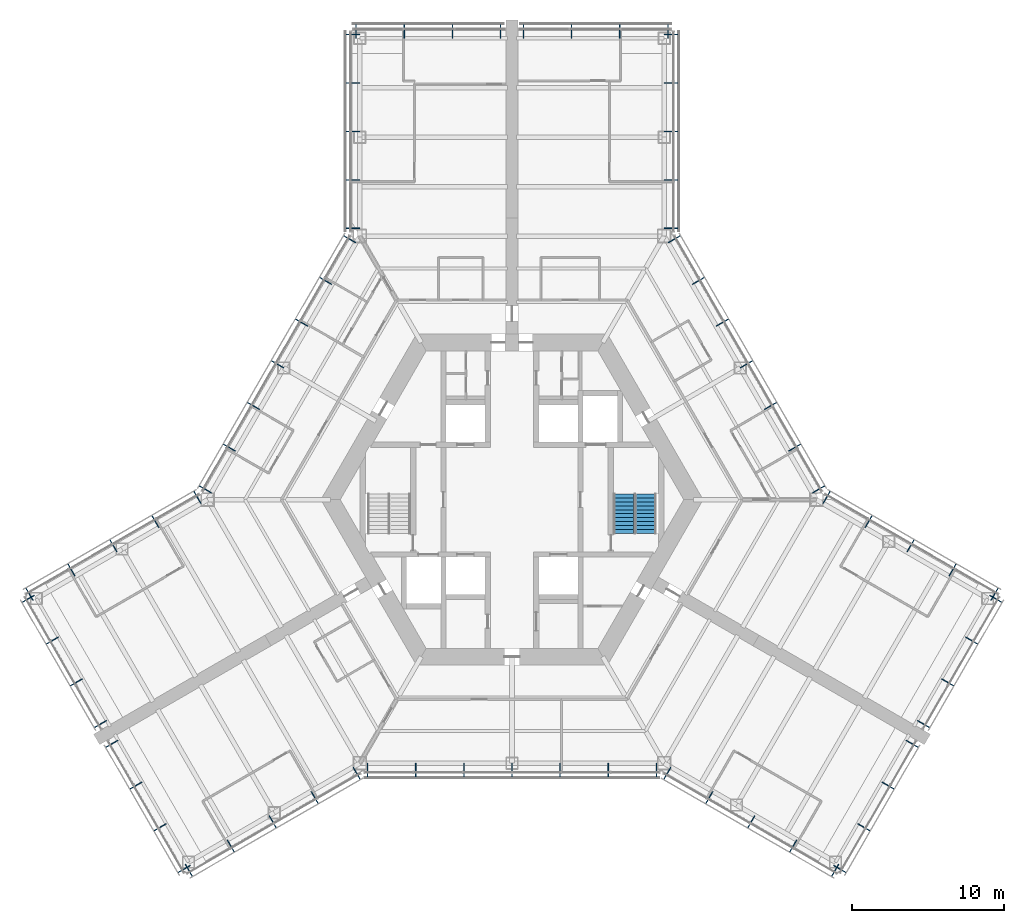
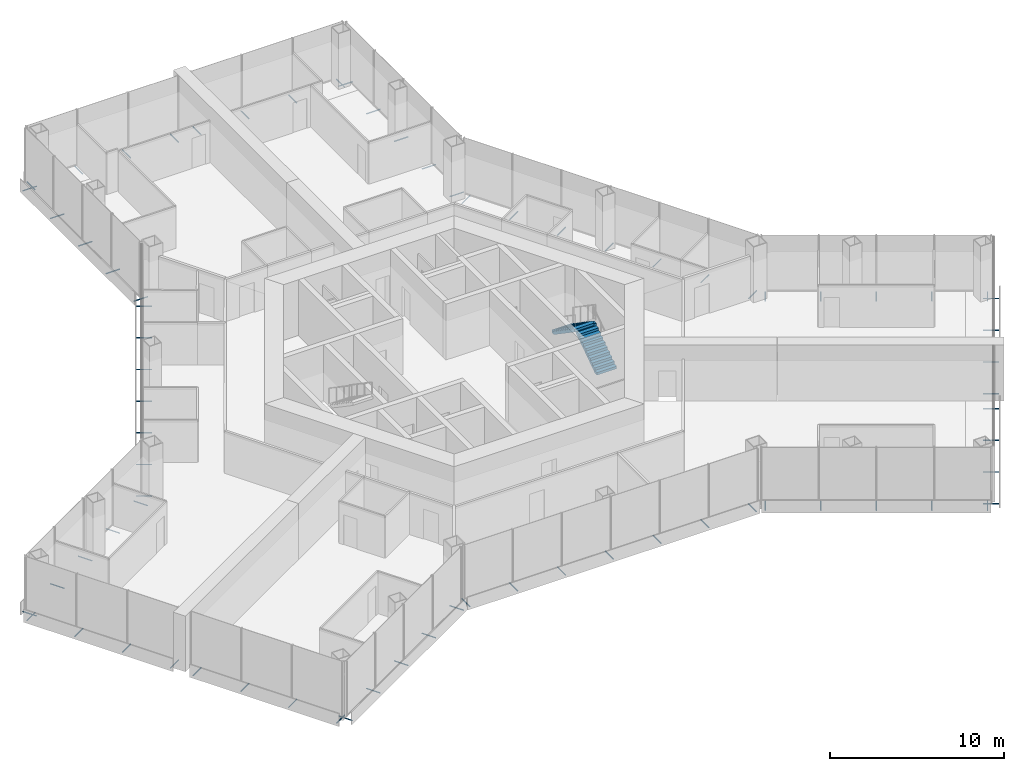
# One storey, part 16 of 18: 75 discrete accessories, 2 stair flights, 1 element without a shape of its own.
"""IFC4 building model written with IfcOpenShell, lengths in metres."""

from ifc_helpers import new_model, si_unit, direction, frame, origin, origin_2d, place, context, subcontext, project, spatial, polyline, hollow_circle, outline, extrude, material, material_profile, profile_set, type_object, element, aggregate, save


model = new_model("IFC4")

# Units and contexts
model_context = context("Model", 3, precision=1e-05, world=origin(), true_north=direction((0.0, 1.0)))
body_context = subcontext(model_context, "Body", "Model", "MODEL_VIEW")
ifc_project = project(units=[si_unit("LENGTHUNIT", "METRE"), si_unit("AREAUNIT", "SQUARE_METRE"), si_unit("VOLUMEUNIT", "CUBIC_METRE"), si_unit("PLANEANGLEUNIT", "RADIAN"), si_unit("MASSUNIT", "GRAM", prefix="KILO")], contexts=[model_context])

# Site, building, storey
site_placement = place(None, origin())
site = spatial("IfcSite", under=ifc_project, at=site_placement, CompositionType="ELEMENT")
building_placement = place(site_placement, origin())
building = spatial("IfcBuilding", under=site, at=building_placement, Name="Kasaneha Research Tower", CompositionType="ELEMENT")
storey_placement = place(building_placement, frame((0.0, 0.0, 61.199951171875)))
storey = spatial("IfcBuildingStorey", under=building, at=storey_placement, Name="L15", CompositionType="ELEMENT", Elevation=61.199951171875)

# Stair, stair flights
ifc_material_1 = material(Name="Concrete Fc24", Category="concrete")
stair_type = type_object("IfcStairType", Name="Half-turn stair 22 risers", PredefinedType="HALF_TURN_STAIR", material=ifc_material_1)
stair_placement = place(storey_placement, origin())
stair = element("IfcStair", 1, at=stair_placement, inside=storey, type_object=stair_type, Name="Stair 1 L15", PredefinedType="HALF_TURN_STAIR")
ifc_material_2 = material(Name="Concrete Fc24", Category="concrete")
stair_flight_type = type_object("IfcStairFlightType", Name="Stair flight 11 risers 177.3", PredefinedType="STRAIGHT", material=ifc_material_2)
stair_flight_1_placement = place(storey_placement, frame((8.824951171875, -2.22509765625, 0.0), z_axis=(0.0, 0.0, 1.0), x_axis=(0.0, 1.0, 0.0)))
stair_flight_1 = element("IfcStairFlight", 2, at=stair_flight_1_placement, type_object=stair_flight_type, Name="ST1-22R flight 1", NumberOfRisers=11, NumberOfTreads=10, PredefinedType="STRAIGHT", RiserHeight=0.177272727, TreadLength=0.26, context=body_context, shape_type="SweptSolid", body=[
    extrude(outline(polyline([(0.0, 0.0), (0.0, 0.17724609375), (0.260009765625, 0.17724609375), (0.260009765625, 0.3544921875), (0.52001953125, 0.3544921875), (0.52001953125, 0.53173828125), (0.780029296875, 0.53173828125), (0.780029296875, 0.708984375), (1.0400390625, 0.708984375), (1.0400390625, 0.886474609375), (1.300048828125, 0.886474609375), (1.300048828125, 1.063720703125), (1.56005859375, 1.063720703125), (1.56005859375, 1.240966796875), (1.820068359375, 1.240966796875), (1.820068359375, 1.418212890625), (2.080078125, 1.418212890625), (2.080078125, 1.595458984375), (2.340087890625, 1.595458984375), (2.340087890625, 1.772705078125), (2.60009765625, 1.772705078125), (2.60009765625, 1.949951171875), (2.60009765625, 1.59130859375), (0.26611328125, 0.0), (0.0, 0.0)])), frame((0.0, 0.64990234375, 0.0), z_axis=(0.0, -1.0, 0.0), x_axis=(1.0, 0.0, 0.0)), (0.0, 0.0, 1.0), 1.300048828125),
])
stair_flight_2_placement = place(storey_placement, frame((7.324951171875, 0.375, 1.949951171875), z_axis=(0.0, 0.0, 1.0), x_axis=(0.0, -1.0, 0.0)))
stair_flight_2 = element("IfcStairFlight", 3, at=stair_flight_2_placement, type_object=stair_flight_type, Name="ST1-22R flight 2", NumberOfRisers=11, NumberOfTreads=10, PredefinedType="STRAIGHT", RiserHeight=0.177272727, TreadLength=0.26, context=body_context, shape_type="SweptSolid", body=[
    extrude(outline(polyline([(0.0, 0.0), (0.0, 0.17724609375), (0.260009765625, 0.17724609375), (0.260009765625, 0.3544921875), (0.52001953125, 0.3544921875), (0.52001953125, 0.53173828125), (0.780029296875, 0.53173828125), (0.780029296875, 0.708984375), (1.0400390625, 0.708984375), (1.0400390625, 0.886474609375), (1.300048828125, 0.886474609375), (1.300048828125, 1.063720703125), (1.56005859375, 1.063720703125), (1.56005859375, 1.240966796875), (1.820068359375, 1.240966796875), (1.820068359375, 1.418212890625), (2.080078125, 1.418212890625), (2.080078125, 1.595458984375), (2.340087890625, 1.595458984375), (2.340087890625, 1.772705078125), (2.60009765625, 1.772705078125), (2.60009765625, 1.949951171875), (2.60009765625, 1.59130859375), (0.26611328125, 0.0), (0.0, 0.0)])), frame((0.0, 0.64990234375, 0.0), z_axis=(0.0, -1.0, 0.0), x_axis=(1.0, 0.0, 0.0)), (0.0, 0.0, 1.0), 1.300048828125),
])
aggregate(stair, [stair_flight_1, stair_flight_2])

# Discrete accessories
ifc_material_3 = material(Name="Steel STK400", Category="steel")
ifc_material_profile = material_profile(ifc_material_3, hollow_circle(Radius=0.0380859375, WallThickness=0.00390625, at=origin_2d()), Name="CHS-76.3x4.0")
ifc_profile_set = profile_set([ifc_material_profile], Name="Steel STK400")
discrete_accessory_type = type_object("IfcDiscreteAccessoryType", Name="Screen bracket CHS-76.3x4.0", PredefinedType="BRACKET", material=ifc_profile_set)
discrete_accessory_1_placement = place(storey_placement, frame((-21.474853515625, -23.945556640625, -0.300048828125), z_axis=(0.500021113727, -0.866013213425, 0.0), x_axis=(0.866013213425, 0.500021113727, 0.0)))
element("IfcDiscreteAccessory", 4, at=discrete_accessory_1_placement, inside=storey, type_object=discrete_accessory_type, Name="Screen bracket 1", PredefinedType="BRACKET", context=body_context, shape_type="SweptSolid", body=[
    extrude(hollow_circle(Radius=0.0380859375, WallThickness=0.00390625, at=origin_2d()), origin(), (0.0, 0.0, 1.0), 0.919921875),
])
discrete_accessory_2_placement = place(storey_placement, frame((-18.716796875, -22.35302734375, -0.300048828125), z_axis=(0.500105201737, -0.865964657013, 0.0), x_axis=(0.865964657013, 0.500105201737, 0.0)))
element("IfcDiscreteAccessory", 5, at=discrete_accessory_2_placement, inside=storey, type_object=discrete_accessory_type, Name="Screen bracket 2", PredefinedType="BRACKET", context=body_context, shape_type="SweptSolid", body=[
    extrude(hollow_circle(Radius=0.0380859375, WallThickness=0.00390625, at=origin_2d()), origin(), (0.0, 0.0, 1.0), 0.920166015625),
])
discrete_accessory_3_placement = place(storey_placement, frame((-15.95849609375, -20.7607421875, -0.300048828125), z_axis=(0.500021113727, -0.866013213425, 0.0), x_axis=(0.866013213425, 0.500021113727, 0.0)))
element("IfcDiscreteAccessory", 6, at=discrete_accessory_3_placement, inside=storey, type_object=discrete_accessory_type, Name="Screen bracket 3", PredefinedType="BRACKET", context=body_context, shape_type="SweptSolid", body=[
    extrude(hollow_circle(Radius=0.0380859375, WallThickness=0.00390625, at=origin_2d()), origin(), (0.0, 0.0, 1.0), 0.919921875),
])
discrete_accessory_4_placement = place(storey_placement, frame((-13.200439453125, -19.168212890625, -0.300048828125), z_axis=(0.499906209203, -0.866079547155, 0.0), x_axis=(0.866079547155, 0.499906209203, 0.0)))
element("IfcDiscreteAccessory", 7, at=discrete_accessory_4_placement, inside=storey, type_object=discrete_accessory_type, Name="Screen bracket 4", PredefinedType="BRACKET", context=body_context, shape_type="SweptSolid", body=[
    extrude(hollow_circle(Radius=0.0380859375, WallThickness=0.00390625, at=origin_2d()), origin(), (0.0, 0.0, 1.0), 0.920166015625),
])
for number, where, z_axis, x_axis, name in (
    (8, (-10.4423828125, -17.575927734375, -0.300048828125), (0.500021113727, -0.866013213425, 0.0), (0.866013213425, 0.500021113727, 0.0), "Screen bracket 5"),
    (9, (-9.4892578125, -17.320556640625, -0.300048828125), (0.0, -1.0, 0.0), (1.0, 0.0, 0.0), "Screen bracket 1"),
    (10, (-6.326171875, -17.320556640625, -0.300048828125), (0.0, -1.0, 0.0), (1.0, 0.0, 0.0), "Screen bracket 2"),
    (11, (-3.1630859375, -17.320556640625, -0.300048828125), (0.0, -1.0, 0.0), (1.0, 0.0, 0.0), "Screen bracket 3"),
    (12, (0.0, -17.320556640625, -0.300048828125), (0.0, -1.0, 0.0), (1.0, 0.0, 0.0), "Screen bracket 4"),
    (13, (3.1630859375, -17.320556640625, -0.300048828125), (0.0, -1.0, 0.0), (1.0, 0.0, 0.0), "Screen bracket 5"),
    (14, (6.326171875, -17.320556640625, -0.300048828125), (0.0, -1.0, 0.0), (1.0, 0.0, 0.0), "Screen bracket 6"),
    (15, (9.4892578125, -17.320556640625, -0.300048828125), (0.0, -1.0, 0.0), (1.0, 0.0, 0.0), "Screen bracket 7"),
    (16, (10.4423828125, -17.575927734375, -0.300048828125), (-0.500021113727, -0.866013213425, 0.0), (0.866013213425, -0.500021113727, 0.0), "Screen bracket 1"),
):
    element("IfcDiscreteAccessory", number, at=place(storey_placement, frame(where, z_axis=z_axis, x_axis=x_axis)), inside=storey, type_object=discrete_accessory_type, Name=name, PredefinedType="BRACKET", context=body_context, shape_type="SweptSolid", body=[
        extrude(hollow_circle(Radius=0.0380859375, WallThickness=0.00390625, at=origin_2d()), origin(), (0.0, 0.0, 1.0), 0.919921875),
    ])
discrete_accessory_5_placement = place(storey_placement, frame((13.200439453125, -19.168212890625, -0.300048828125), z_axis=(-0.499906209203, -0.866079547155, 0.0), x_axis=(0.866079547155, -0.499906209203, 0.0)))
element("IfcDiscreteAccessory", 17, at=discrete_accessory_5_placement, inside=storey, type_object=discrete_accessory_type, Name="Screen bracket 2", PredefinedType="BRACKET", context=body_context, shape_type="SweptSolid", body=[
    extrude(hollow_circle(Radius=0.0380859375, WallThickness=0.00390625, at=origin_2d()), origin(), (0.0, 0.0, 1.0), 0.920166015625),
])
discrete_accessory_6_placement = place(storey_placement, frame((15.95849609375, -20.7607421875, -0.300048828125), z_axis=(-0.500021113727, -0.866013213425, 0.0), x_axis=(0.866013213425, -0.500021113727, 0.0)))
element("IfcDiscreteAccessory", 18, at=discrete_accessory_6_placement, inside=storey, type_object=discrete_accessory_type, Name="Screen bracket 3", PredefinedType="BRACKET", context=body_context, shape_type="SweptSolid", body=[
    extrude(hollow_circle(Radius=0.0380859375, WallThickness=0.00390625, at=origin_2d()), origin(), (0.0, 0.0, 1.0), 0.919921875),
])
discrete_accessory_7_placement = place(storey_placement, frame((18.716796875, -22.35302734375, -0.300048828125), z_axis=(-0.500105201737, -0.865964657013, 0.0), x_axis=(0.865964657013, -0.500105201737, 0.0)))
element("IfcDiscreteAccessory", 19, at=discrete_accessory_7_placement, inside=storey, type_object=discrete_accessory_type, Name="Screen bracket 4", PredefinedType="BRACKET", context=body_context, shape_type="SweptSolid", body=[
    extrude(hollow_circle(Radius=0.0380859375, WallThickness=0.00390625, at=origin_2d()), origin(), (0.0, 0.0, 1.0), 0.920166015625),
])
discrete_accessory_8_placement = place(storey_placement, frame((21.474853515625, -23.945556640625, -0.300048828125), z_axis=(-0.500021113727, -0.866013213425, 0.0), x_axis=(0.866013213425, -0.500021113727, 0.0)))
element("IfcDiscreteAccessory", 20, at=discrete_accessory_8_placement, inside=storey, type_object=discrete_accessory_type, Name="Screen bracket 5", PredefinedType="BRACKET", context=body_context, shape_type="SweptSolid", body=[
    extrude(hollow_circle(Radius=0.0380859375, WallThickness=0.00390625, at=origin_2d()), origin(), (0.0, 0.0, 1.0), 0.919921875),
])
for number, where, z_axis, x_axis, name in (
    (21, (21.13330078125, -24.037109375, -0.300048828125), (0.866079547155, -0.499906209203, 0.0), (0.499906209203, 0.866079547155, 0.0), "Screen bracket 1"),
    (22, (22.716552734375, -21.294677734375, -0.300048828125), (0.866079547155, -0.499906209203, 0.0), (0.499906209203, 0.866079547155, 0.0), "Screen bracket 2"),
):
    element("IfcDiscreteAccessory", number, at=place(storey_placement, frame(where, z_axis=z_axis, x_axis=x_axis)), inside=storey, type_object=discrete_accessory_type, Name=name, PredefinedType="BRACKET", context=body_context, shape_type="SweptSolid", body=[
        extrude(hollow_circle(Radius=0.0380859375, WallThickness=0.00390625, at=origin_2d()), origin(), (0.0, 0.0, 1.0), 0.920166015625),
    ])
discrete_accessory_9_placement = place(storey_placement, frame((24.300048828125, -18.55224609375, -0.300048828125), z_axis=(0.866013213425, -0.500021113727, 0.0), x_axis=(0.500021113727, 0.866013213425, 0.0)))
element("IfcDiscreteAccessory", 23, at=discrete_accessory_9_placement, inside=storey, type_object=discrete_accessory_type, Name="Screen bracket 3", PredefinedType="BRACKET", context=body_context, shape_type="SweptSolid", body=[
    extrude(hollow_circle(Radius=0.0380859375, WallThickness=0.00390625, at=origin_2d()), origin(), (0.0, 0.0, 1.0), 0.919921875),
])
for number, where, z_axis, x_axis, name in (
    (24, (25.88330078125, -15.809814453125, -0.300048828125), (0.866079547155, -0.499906209203, 0.0), (0.499906209203, 0.866079547155, 0.0), "Screen bracket 4"),
    (25, (26.63330078125, -14.5107421875, -0.300048828125), (0.866079547155, -0.499906209203, 0.0), (0.499906209203, 0.866079547155, 0.0), "Screen bracket 1"),
    (26, (28.216552734375, -11.768310546875, -0.300048828125), (0.866079547155, -0.499906209203, 0.0), (0.499906209203, 0.866079547155, 0.0), "Screen bracket 2"),
):
    element("IfcDiscreteAccessory", number, at=place(storey_placement, frame(where, z_axis=z_axis, x_axis=x_axis)), inside=storey, type_object=discrete_accessory_type, Name=name, PredefinedType="BRACKET", context=body_context, shape_type="SweptSolid", body=[
        extrude(hollow_circle(Radius=0.0380859375, WallThickness=0.00390625, at=origin_2d()), origin(), (0.0, 0.0, 1.0), 0.920166015625),
    ])
discrete_accessory_10_placement = place(storey_placement, frame((29.800048828125, -9.02587890625, -0.300048828125), z_axis=(0.866013213425, -0.500021113727, 0.0), x_axis=(0.500021113727, 0.866013213425, 0.0)))
element("IfcDiscreteAccessory", 27, at=discrete_accessory_10_placement, inside=storey, type_object=discrete_accessory_type, Name="Screen bracket 3", PredefinedType="BRACKET", context=body_context, shape_type="SweptSolid", body=[
    extrude(hollow_circle(Radius=0.0380859375, WallThickness=0.00390625, at=origin_2d()), origin(), (0.0, 0.0, 1.0), 0.919921875),
])
discrete_accessory_11_placement = place(storey_placement, frame((31.38330078125, -6.283447265625, -0.300048828125), z_axis=(0.866079547155, -0.499906209203, 0.0), x_axis=(0.499906209203, 0.866079547155, 0.0)))
element("IfcDiscreteAccessory", 28, at=discrete_accessory_11_placement, inside=storey, type_object=discrete_accessory_type, Name="Screen bracket 4", PredefinedType="BRACKET", context=body_context, shape_type="SweptSolid", body=[
    extrude(hollow_circle(Radius=0.0380859375, WallThickness=0.00390625, at=origin_2d()), origin(), (0.0, 0.0, 1.0), 0.920166015625),
])
discrete_accessory_12_placement = place(storey_placement, frame((31.474853515625, -6.625, -0.300048828125), z_axis=(0.500021113727, 0.866013213425, 0.0), x_axis=(-0.866013213425, 0.500021113727, 0.0)))
element("IfcDiscreteAccessory", 29, at=discrete_accessory_12_placement, inside=storey, type_object=discrete_accessory_type, Name="Screen bracket 1", PredefinedType="BRACKET", context=body_context, shape_type="SweptSolid", body=[
    extrude(hollow_circle(Radius=0.0380859375, WallThickness=0.00390625, at=origin_2d()), origin(), (0.0, 0.0, 1.0), 0.919921875),
])
discrete_accessory_13_placement = place(storey_placement, frame((28.716796875, -5.03271484375, -0.300048828125), z_axis=(0.499906209203, 0.866079547155, 0.0), x_axis=(-0.866079547155, 0.499906209203, 0.0)))
element("IfcDiscreteAccessory", 30, at=discrete_accessory_13_placement, inside=storey, type_object=discrete_accessory_type, Name="Screen bracket 2", PredefinedType="BRACKET", context=body_context, shape_type="SweptSolid", body=[
    extrude(hollow_circle(Radius=0.0380859375, WallThickness=0.00390625, at=origin_2d()), origin(), (0.0, 0.0, 1.0), 0.920166015625),
])
discrete_accessory_14_placement = place(storey_placement, frame((25.95849609375, -3.440185546875, -0.300048828125), z_axis=(0.500220121494, 0.865898279276, 0.0), x_axis=(-0.865898279276, 0.500220121494, 0.0)))
element("IfcDiscreteAccessory", 31, at=discrete_accessory_14_placement, inside=storey, type_object=discrete_accessory_type, Name="Screen bracket 3", PredefinedType="BRACKET", context=body_context, shape_type="SweptSolid", body=[
    extrude(hollow_circle(Radius=0.0380859375, WallThickness=0.00390625, at=origin_2d()), origin(), (0.0, 0.0, 1.0), 0.919921875),
])
discrete_accessory_15_placement = place(storey_placement, frame((23.200439453125, -1.847900390625, -0.300048828125), z_axis=(0.499906209203, 0.866079547155, 0.0), x_axis=(-0.866079547155, 0.499906209203, 0.0)))
element("IfcDiscreteAccessory", 32, at=discrete_accessory_15_placement, inside=storey, type_object=discrete_accessory_type, Name="Screen bracket 4", PredefinedType="BRACKET", context=body_context, shape_type="SweptSolid", body=[
    extrude(hollow_circle(Radius=0.0380859375, WallThickness=0.00390625, at=origin_2d()), origin(), (0.0, 0.0, 1.0), 0.920166015625),
])
for number, where, z_axis, x_axis, name in (
    (33, (20.4423828125, -0.25537109375, -0.300048828125), (0.500021113727, 0.866013213425, 0.0), (-0.866013213425, 0.500021113727, 0.0), "Screen bracket 5"),
    (34, (19.74462890625, 0.4423828125, -0.300048828125), (0.866013213425, 0.500021113727, 0.0), (-0.500021113727, 0.866013213425, 0.0), "Screen bracket 1"),
    (35, (18.1630859375, 3.181640625, -0.300048828125), (0.866013213425, 0.500021113727, 0.0), (-0.500021113727, 0.866013213425, 0.0), "Screen bracket 2"),
    (36, (16.58154296875, 5.9208984375, -0.300048828125), (0.866013213425, 0.500021113727, 0.0), (-0.500021113727, 0.866013213425, 0.0), "Screen bracket 3"),
    (37, (15.0, 8.66015625, -0.300048828125), (0.865898279276, 0.500220121494, 0.0), (-0.500220121494, 0.865898279276, 0.0), "Screen bracket 4"),
    (38, (13.41845703125, 11.399658203125, -0.300048828125), (0.866013213425, 0.500021113727, 0.0), (-0.500021113727, 0.866013213425, 0.0), "Screen bracket 5"),
    (39, (11.8369140625, 14.138916015625, -0.300048828125), (0.866013213425, 0.500021113727, 0.0), (-0.500021113727, 0.866013213425, 0.0), "Screen bracket 6"),
):
    element("IfcDiscreteAccessory", number, at=place(storey_placement, frame(where, z_axis=z_axis, x_axis=x_axis)), inside=storey, type_object=discrete_accessory_type, Name=name, PredefinedType="BRACKET", context=body_context, shape_type="SweptSolid", body=[
        extrude(hollow_circle(Radius=0.0380859375, WallThickness=0.00390625, at=origin_2d()), origin(), (0.0, 0.0, 1.0), 0.919921875),
    ])
discrete_accessory_16_placement = place(storey_placement, frame((10.25537109375, 16.878173828125, -0.300048828125), z_axis=(0.866079547155, 0.499906209203, 0.0), x_axis=(-0.499906209203, 0.866079547155, 0.0)))
element("IfcDiscreteAccessory", 40, at=discrete_accessory_16_placement, inside=storey, type_object=discrete_accessory_type, Name="Screen bracket 7", PredefinedType="BRACKET", context=body_context, shape_type="SweptSolid", body=[
    extrude(hollow_circle(Radius=0.0380859375, WallThickness=0.00390625, at=origin_2d()), origin(), (0.0, 0.0, 1.0), 0.920166015625),
])
for number, where, z_axis, x_axis, name in (
    (41, (10.0, 17.831298828125, -0.300048828125), (1.0, 0.0, 0.0), (0.0, 1.0, 0.0), "Screen bracket 1"),
    (42, (10.0, 21.01611328125, -0.300048828125), (1.0, 0.0, 0.0), (0.0, 1.0, 0.0), "Screen bracket 2"),
    (43, (10.0, 24.200927734375, -0.300048828125), (1.0, 0.0, 0.0), (0.0, 1.0, 0.0), "Screen bracket 3"),
    (44, (10.0, 27.3857421875, -0.300048828125), (1.0, 0.0, 0.0), (0.0, 1.0, 0.0), "Screen bracket 4"),
    (45, (10.0, 30.570556640625, -0.300048828125), (1.0, 0.0, 0.0), (0.0, 1.0, 0.0), "Screen bracket 5"),
    (46, (10.25, 30.320556640625, -0.300048828125), (0.0, 1.0, 0.0), (-1.0, 0.0, 0.0), "Screen bracket 1"),
    (47, (7.083251953125, 30.320556640625, -0.300048828125), (0.0, 1.0, 0.0), (-1.0, 0.0, 0.0), "Screen bracket 2"),
    (48, (3.916748046875, 30.320556640625, -0.300048828125), (0.0, 1.0, 0.0), (-1.0, 0.0, 0.0), "Screen bracket 3"),
    (49, (0.75, 30.320556640625, -0.300048828125), (0.0, 1.0, 0.0), (-1.0, 0.0, 0.0), "Screen bracket 4"),
    (50, (-0.75, 30.320556640625, -0.300048828125), (0.0, 1.0, 0.0), (-1.0, 0.0, 0.0), "Screen bracket 1"),
    (51, (-3.916748046875, 30.320556640625, -0.300048828125), (0.0, 1.0, 0.0), (-1.0, 0.0, 0.0), "Screen bracket 2"),
    (52, (-7.083251953125, 30.320556640625, -0.300048828125), (0.0, 1.0, 0.0), (-1.0, 0.0, 0.0), "Screen bracket 3"),
    (53, (-10.25, 30.320556640625, -0.300048828125), (0.0, 1.0, 0.0), (-1.0, 0.0, 0.0), "Screen bracket 4"),
    (54, (-10.0, 30.570556640625, -0.300048828125), (-1.0, 0.0, 0.0), (0.0, -1.0, 0.0), "Screen bracket 1"),
    (55, (-10.0, 27.3857421875, -0.300048828125), (-1.0, 0.0, 0.0), (0.0, -1.0, 0.0), "Screen bracket 2"),
    (56, (-10.0, 24.200927734375, -0.300048828125), (-1.0, 0.0, 0.0), (0.0, -1.0, 0.0), "Screen bracket 3"),
    (57, (-10.0, 21.01611328125, -0.300048828125), (-1.0, 0.0, 0.0), (0.0, -1.0, 0.0), "Screen bracket 4"),
    (58, (-10.0, 17.831298828125, -0.300048828125), (-1.0, 0.0, 0.0), (0.0, -1.0, 0.0), "Screen bracket 5"),
):
    element("IfcDiscreteAccessory", number, at=place(storey_placement, frame(where, z_axis=z_axis, x_axis=x_axis)), inside=storey, type_object=discrete_accessory_type, Name=name, PredefinedType="BRACKET", context=body_context, shape_type="SweptSolid", body=[
        extrude(hollow_circle(Radius=0.0380859375, WallThickness=0.00390625, at=origin_2d()), origin(), (0.0, 0.0, 1.0), 0.919921875),
    ])
discrete_accessory_17_placement = place(storey_placement, frame((-10.25537109375, 16.878173828125, -0.300048828125), z_axis=(-0.866079547155, 0.499906209203, 0.0), x_axis=(-0.499906209203, -0.866079547155, 0.0)))
element("IfcDiscreteAccessory", 59, at=discrete_accessory_17_placement, inside=storey, type_object=discrete_accessory_type, Name="Screen bracket 1", PredefinedType="BRACKET", context=body_context, shape_type="SweptSolid", body=[
    extrude(hollow_circle(Radius=0.0380859375, WallThickness=0.00390625, at=origin_2d()), origin(), (0.0, 0.0, 1.0), 0.920166015625),
])
for number, where, z_axis, x_axis, name in (
    (60, (-11.8369140625, 14.138916015625, -0.300048828125), (-0.866013213425, 0.500021113727, 0.0), (-0.500021113727, -0.866013213425, 0.0), "Screen bracket 2"),
    (61, (-13.41845703125, 11.399658203125, -0.300048828125), (-0.866013213425, 0.500021113727, 0.0), (-0.500021113727, -0.866013213425, 0.0), "Screen bracket 3"),
    (62, (-15.0, 8.66015625, -0.300048828125), (-0.865898279276, 0.500220121494, 0.0), (-0.500220121494, -0.865898279276, 0.0), "Screen bracket 4"),
    (63, (-16.58154296875, 5.9208984375, -0.300048828125), (-0.866013213425, 0.500021113727, 0.0), (-0.500021113727, -0.866013213425, 0.0), "Screen bracket 5"),
    (64, (-18.1630859375, 3.181640625, -0.300048828125), (-0.866013213425, 0.500021113727, 0.0), (-0.500021113727, -0.866013213425, 0.0), "Screen bracket 6"),
    (65, (-19.74462890625, 0.4423828125, -0.300048828125), (-0.866013213425, 0.500021113727, 0.0), (-0.500021113727, -0.866013213425, 0.0), "Screen bracket 7"),
    (66, (-20.4423828125, -0.25537109375, -0.300048828125), (-0.500021113727, 0.866013213425, 0.0), (-0.866013213425, -0.500021113727, 0.0), "Screen bracket 1"),
):
    element("IfcDiscreteAccessory", number, at=place(storey_placement, frame(where, z_axis=z_axis, x_axis=x_axis)), inside=storey, type_object=discrete_accessory_type, Name=name, PredefinedType="BRACKET", context=body_context, shape_type="SweptSolid", body=[
        extrude(hollow_circle(Radius=0.0380859375, WallThickness=0.00390625, at=origin_2d()), origin(), (0.0, 0.0, 1.0), 0.919921875),
    ])
discrete_accessory_18_placement = place(storey_placement, frame((-23.200439453125, -1.847900390625, -0.300048828125), z_axis=(-0.499906209203, 0.866079547155, 0.0), x_axis=(-0.866079547155, -0.499906209203, 0.0)))
element("IfcDiscreteAccessory", 67, at=discrete_accessory_18_placement, inside=storey, type_object=discrete_accessory_type, Name="Screen bracket 2", PredefinedType="BRACKET", context=body_context, shape_type="SweptSolid", body=[
    extrude(hollow_circle(Radius=0.0380859375, WallThickness=0.00390625, at=origin_2d()), origin(), (0.0, 0.0, 1.0), 0.920166015625),
])
discrete_accessory_19_placement = place(storey_placement, frame((-25.95849609375, -3.440185546875, -0.300048828125), z_axis=(-0.500220121494, 0.865898279276, 0.0), x_axis=(-0.865898279276, -0.500220121494, 0.0)))
element("IfcDiscreteAccessory", 68, at=discrete_accessory_19_placement, inside=storey, type_object=discrete_accessory_type, Name="Screen bracket 3", PredefinedType="BRACKET", context=body_context, shape_type="SweptSolid", body=[
    extrude(hollow_circle(Radius=0.0380859375, WallThickness=0.00390625, at=origin_2d()), origin(), (0.0, 0.0, 1.0), 0.919921875),
])
discrete_accessory_20_placement = place(storey_placement, frame((-28.716796875, -5.03271484375, -0.300048828125), z_axis=(-0.499906209203, 0.866079547155, 0.0), x_axis=(-0.866079547155, -0.499906209203, 0.0)))
element("IfcDiscreteAccessory", 69, at=discrete_accessory_20_placement, inside=storey, type_object=discrete_accessory_type, Name="Screen bracket 4", PredefinedType="BRACKET", context=body_context, shape_type="SweptSolid", body=[
    extrude(hollow_circle(Radius=0.0380859375, WallThickness=0.00390625, at=origin_2d()), origin(), (0.0, 0.0, 1.0), 0.920166015625),
])
discrete_accessory_21_placement = place(storey_placement, frame((-31.474853515625, -6.625, -0.300048828125), z_axis=(-0.500021113727, 0.866013213425, 0.0), x_axis=(-0.866013213425, -0.500021113727, 0.0)))
element("IfcDiscreteAccessory", 70, at=discrete_accessory_21_placement, inside=storey, type_object=discrete_accessory_type, Name="Screen bracket 5", PredefinedType="BRACKET", context=body_context, shape_type="SweptSolid", body=[
    extrude(hollow_circle(Radius=0.0380859375, WallThickness=0.00390625, at=origin_2d()), origin(), (0.0, 0.0, 1.0), 0.919921875),
])
discrete_accessory_22_placement = place(storey_placement, frame((-31.38330078125, -6.283447265625, -0.300048828125), z_axis=(-0.866079547155, -0.499906209203, 0.0), x_axis=(0.499906209203, -0.866079547155, 0.0)))
element("IfcDiscreteAccessory", 71, at=discrete_accessory_22_placement, inside=storey, type_object=discrete_accessory_type, Name="Screen bracket 1", PredefinedType="BRACKET", context=body_context, shape_type="SweptSolid", body=[
    extrude(hollow_circle(Radius=0.0380859375, WallThickness=0.00390625, at=origin_2d()), origin(), (0.0, 0.0, 1.0), 0.920166015625),
])
discrete_accessory_23_placement = place(storey_placement, frame((-29.800048828125, -9.02587890625, -0.300048828125), z_axis=(-0.866013213425, -0.500021113727, 0.0), x_axis=(0.500021113727, -0.866013213425, 0.0)))
element("IfcDiscreteAccessory", 72, at=discrete_accessory_23_placement, inside=storey, type_object=discrete_accessory_type, Name="Screen bracket 2", PredefinedType="BRACKET", context=body_context, shape_type="SweptSolid", body=[
    extrude(hollow_circle(Radius=0.0380859375, WallThickness=0.00390625, at=origin_2d()), origin(), (0.0, 0.0, 1.0), 0.919921875),
])
for number, where, z_axis, x_axis, name in (
    (73, (-28.216552734375, -11.768310546875, -0.300048828125), (-0.866079547155, -0.499906209203, 0.0), (0.499906209203, -0.866079547155, 0.0), "Screen bracket 3"),
    (74, (-26.63330078125, -14.5107421875, -0.300048828125), (-0.866079547155, -0.499906209203, 0.0), (0.499906209203, -0.866079547155, 0.0), "Screen bracket 4"),
    (75, (-25.88330078125, -15.809814453125, -0.300048828125), (-0.866079547155, -0.499906209203, 0.0), (0.499906209203, -0.866079547155, 0.0), "Screen bracket 1"),
):
    element("IfcDiscreteAccessory", number, at=place(storey_placement, frame(where, z_axis=z_axis, x_axis=x_axis)), inside=storey, type_object=discrete_accessory_type, Name=name, PredefinedType="BRACKET", context=body_context, shape_type="SweptSolid", body=[
        extrude(hollow_circle(Radius=0.0380859375, WallThickness=0.00390625, at=origin_2d()), origin(), (0.0, 0.0, 1.0), 0.920166015625),
    ])
discrete_accessory_24_placement = place(storey_placement, frame((-24.300048828125, -18.55224609375, -0.300048828125), z_axis=(-0.866013213425, -0.500021113727, 0.0), x_axis=(0.500021113727, -0.866013213425, 0.0)))
element("IfcDiscreteAccessory", 76, at=discrete_accessory_24_placement, inside=storey, type_object=discrete_accessory_type, Name="Screen bracket 2", PredefinedType="BRACKET", context=body_context, shape_type="SweptSolid", body=[
    extrude(hollow_circle(Radius=0.0380859375, WallThickness=0.00390625, at=origin_2d()), origin(), (0.0, 0.0, 1.0), 0.919921875),
])
for number, where, z_axis, x_axis, name in (
    (77, (-22.716552734375, -21.294677734375, -0.300048828125), (-0.866079547155, -0.499906209203, 0.0), (0.499906209203, -0.866079547155, 0.0), "Screen bracket 3"),
    (78, (-21.13330078125, -24.037109375, -0.300048828125), (-0.866079547155, -0.499906209203, 0.0), (0.499906209203, -0.866079547155, 0.0), "Screen bracket 4"),
):
    element("IfcDiscreteAccessory", number, at=place(storey_placement, frame(where, z_axis=z_axis, x_axis=x_axis)), inside=storey, type_object=discrete_accessory_type, Name=name, PredefinedType="BRACKET", context=body_context, shape_type="SweptSolid", body=[
        extrude(hollow_circle(Radius=0.0380859375, WallThickness=0.00390625, at=origin_2d()), origin(), (0.0, 0.0, 1.0), 0.920166015625),
    ])

save(model, "model.ifc")
